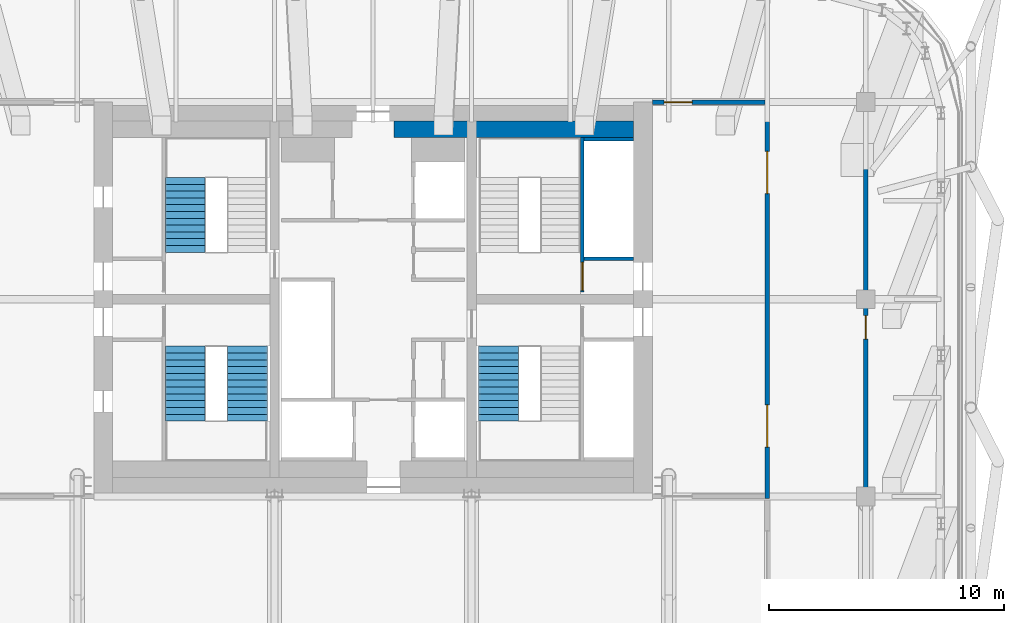
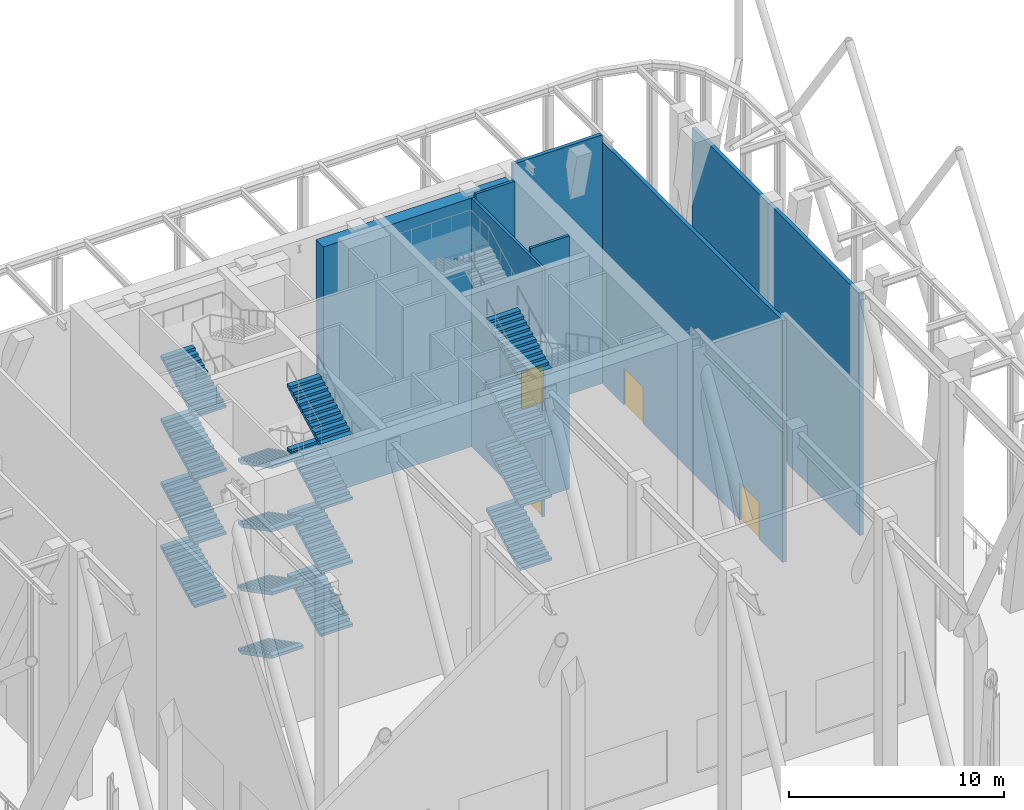
# One storey, part 12 of 20: 16 stair flights, 7 walls, 5 doors, 5 openings, 3 elements without a shape of their own.
"""IFC4 building model written with IfcOpenShell, lengths in metres."""

from ifc_helpers import new_model, si_unit, direction, frame, frame_2d, origin, place, context, subcontext, project, spatial, polyline, rectangle, outline, extrude, material, layer, layer_set, type_object, element, fill, aggregate, save


model = new_model("IFC4")

# Units and contexts
model_context = context("Model", 3, precision=1e-05, world=origin(), true_north=direction((0.0, 1.0)))
body_context = subcontext(model_context, "Body", "Model", "MODEL_VIEW")
ifc_project = project(units=[si_unit("LENGTHUNIT", "METRE"), si_unit("AREAUNIT", "SQUARE_METRE"), si_unit("VOLUMEUNIT", "CUBIC_METRE"), si_unit("PLANEANGLEUNIT", "RADIAN"), si_unit("MASSUNIT", "GRAM", prefix="KILO")], contexts=[model_context])

# Site, building, storey
site_placement = place(None, origin())
site = spatial("IfcSite", under=ifc_project, at=site_placement, CompositionType="ELEMENT")
building_placement = place(site_placement, origin())
building = spatial("IfcBuilding", under=site, at=building_placement, Name="Marenta Gate Hotel Tower", CompositionType="ELEMENT")
storey_placement = place(building_placement, frame((0.0, 0.0, 252.5)))
storey = spatial("IfcBuildingStorey", under=building, at=storey_placement, Name="L60", CompositionType="ELEMENT", Elevation=252.5)

# Wall, openings, doors
ifc_material_1 = material(Name="Concrete blockwork", Category="masonry")
ifc_layer_1 = layer(ifc_material_1, 0.199951171875)
ifc_layer_set_1 = layer_set([ifc_layer_1], Name="Concrete blockwork")
wall_type_1 = type_object("IfcWallType", Name="Core boundary wall 200 REI 180", PredefinedType="PARTITIONING", material=ifc_layer_set_1)
wall_1_placement = place(storey_placement, frame((16.800048828125, -0.10009765625, 0.0), z_axis=(0.0, 0.0, 1.0), x_axis=(0.0, 1.0, 0.0)))
wall_1 = element("IfcWall", 1, at=wall_1_placement, inside=storey, type_object=wall_type_1, Name="L60-CP-BW-E", PredefinedType="PARTITIONING", context=body_context, shape_type="SweptSolid", body=[
    extrude(rectangle(XDim=17.0, YDim=0.199951171875, at=frame_2d((8.5, 0.0))), origin(), (0.0, 0.0, 1.0), 13.739990234375),
])
opening_1_placement = place(wall_1_placement, frame((2.199951171875, 0.0, 0.0)))
opening_1 = element("IfcOpeningElement", 2, at=opening_1_placement, cuts=wall_1, Name="Opening ED-Ea-B", PredefinedType="OPENING", context=body_context, shape_type="SweptSolid", body=[
    extrude(rectangle(XDim=1.800048828125, YDim=2.10009765625, at=frame_2d((0.89990234375, 1.050048828125))), frame((0.0, 0.10009765625, 0.0), z_axis=(0.0, -1.0, 0.0), x_axis=(1.0, 0.0, 0.0)), (0.0, 0.0, 1.0), 0.199951171875),
])
opening_2_placement = place(wall_1_placement, frame((13.0, 0.0, 0.0)))
opening_2 = element("IfcOpeningElement", 3, at=opening_2_placement, cuts=wall_1, Name="Opening ED-Eb-B", PredefinedType="OPENING", context=body_context, shape_type="SweptSolid", body=[
    extrude(rectangle(XDim=1.800048828125, YDim=2.10009765625, at=frame_2d((0.89990234375, 1.050048828125))), frame((0.0, 0.10009765625, 0.0), z_axis=(0.0, -1.0, 0.0), x_axis=(1.0, 0.0, 0.0)), (0.0, 0.0, 1.0), 0.199951171875),
])
ifc_material_2 = material(Name="Steel", Category="steel")
door_type_1 = type_object("IfcDoorType", Name="Core lobby entrance door 1800x2100 EI 60", OperationType="DOUBLE_DOOR_SINGLE_SWING", PredefinedType="DOOR", material=ifc_material_2)
door_1_placement = place(opening_1_placement, origin())
door_1 = element("IfcDoor", 4, at=door_1_placement, inside=storey, type_object=door_type_1, Name="ED-Ea-B", OperationType="DOUBLE_DOOR_SINGLE_SWING", OverallHeight=2.10009765625, OverallWidth=1.800048828125, PredefinedType="DOOR", context=body_context, shape_type="SweptSolid", body=[
    extrude(rectangle(XDim=1.800048828125, YDim=2.10009765625, at=frame_2d((0.89990234375, 1.050048828125))), frame((0.0, 0.02490234375, 0.0), z_axis=(0.0, -1.0, 0.0), x_axis=(1.0, 0.0, 0.0)), (0.0, 0.0, 1.0), 0.050048828125),
])
fill(opening_1, door_1)
door_2_placement = place(opening_2_placement, origin())
door_2 = element("IfcDoor", 5, at=door_2_placement, inside=storey, type_object=door_type_1, Name="ED-Eb-B", OperationType="DOUBLE_DOOR_SINGLE_SWING", OverallHeight=2.10009765625, OverallWidth=1.800048828125, PredefinedType="DOOR", context=body_context, shape_type="SweptSolid", body=[
    extrude(rectangle(XDim=1.800048828125, YDim=2.10009765625, at=frame_2d((0.89990234375, 1.050048828125))), frame((0.0, 0.02490234375, 0.0), z_axis=(0.0, -1.0, 0.0), x_axis=(1.0, 0.0, 0.0)), (0.0, 0.0, 1.0), 0.050048828125),
])
fill(opening_2, door_2)

# Wall, opening, door
wall_2_placement = place(storey_placement, frame((11.89990234375, 16.800048828125, 0.0), z_axis=(0.0, 0.0, 1.0), x_axis=(1.0, 0.0, 0.0)))
wall_2 = element("IfcWall", 6, at=wall_2_placement, inside=storey, type_object=wall_type_1, Name="L60-CP-EW-EN", PredefinedType="PARTITIONING", context=body_context, shape_type="SweptSolid", body=[
    extrude(rectangle(XDim=4.800048828125, YDim=0.199951171875, at=frame_2d((2.39990234375, 0.0))), origin(), (0.0, 0.0, 1.0), 14.139892578125),
])
opening_3_placement = place(wall_2_placement, frame((0.5, 0.0, 0.0)))
opening_3 = element("IfcOpeningElement", 7, at=opening_3_placement, cuts=wall_2, Name="Opening RFD-EN", PredefinedType="OPENING", context=body_context, shape_type="SweptSolid", body=[
    extrude(rectangle(XDim=1.199951171875, YDim=2.10009765625, at=frame_2d((0.60009765625, 1.050048828125))), frame((0.0, 0.10009765625, 0.0), z_axis=(0.0, -1.0, 0.0), x_axis=(1.0, 0.0, 0.0)), (0.0, 0.0, 1.0), 0.199951171875),
])
ifc_material_3 = material(Name="Steel", Category="steel")
door_type_2 = type_object("IfcDoorType", Name="Core lobby door 1200x2100 FD60", OperationType="SINGLE_SWING_LEFT", PredefinedType="DOOR", material=ifc_material_3)
door_3_placement = place(opening_3_placement, origin())
door_3 = element("IfcDoor", 8, at=door_3_placement, inside=storey, type_object=door_type_2, Name="RFD-EN", OperationType="SINGLE_SWING_LEFT", OverallHeight=2.10009765625, OverallWidth=1.199951171875, PredefinedType="DOOR", context=body_context, shape_type="SweptSolid", body=[
    extrude(rectangle(XDim=1.199951171875, YDim=2.10009765625, at=frame_2d((0.60009765625, 1.050048828125))), frame((0.0, 0.02490234375, 0.0), z_axis=(0.0, -1.0, 0.0), x_axis=(1.0, 0.0, 0.0)), (0.0, 0.0, 1.0), 0.050048828125),
])
fill(opening_3, door_3)

# Walls
ifc_material_4 = material(Name="Concrete C40", Category="concrete")
ifc_layer_2 = layer(ifc_material_4, 0.699951171875)
ifc_layer_set_2 = layer_set([ifc_layer_2], Name="Concrete C40")
wall_type_2 = type_object("IfcWallType", Name="Core lining wall 700 REI 180", PredefinedType="PARTITIONING", material=ifc_layer_set_2)
wall_3_placement = place(storey_placement, frame((0.89990234375, 15.64990234375, 0.0), z_axis=(0.0, 0.0, 1.0), x_axis=(1.0, 0.0, 0.0)))
element("IfcWall", 9, at=wall_3_placement, inside=storey, type_object=wall_type_2, Name="L60-CP-LN-N2", PredefinedType="PARTITIONING", context=body_context, shape_type="SweptSolid", body=[
    extrude(rectangle(XDim=10.2001953125, YDim=0.699951171875, at=frame_2d((5.10009765625, 0.0))), origin(), (0.0, 0.0, 1.0), 14.139892578125),
])
ifc_material_5 = material(Name="Concrete C40", Category="concrete")
ifc_layer_3 = layer(ifc_material_5, 0.14990234375)
ifc_layer_set_3 = layer_set([ifc_layer_3], Name="Concrete C40")
wall_type_3 = type_object("IfcWallType", Name="Core shaft wall 150 REI 180", PredefinedType="SHEAR", material=ifc_layer_set_3)
for number, where, z_axis, x_axis, name in (
    (10, (9.0, 10.125, 0.0), (0.0, 0.0, 1.0), (1.0, 0.0, 0.0), "L60-SHF-SW-EN-2"),
    (11, (9.0, 15.22509765625, 0.0), (0.0, 0.0, 1.0), (1.0, 0.0, 0.0), "L60-SHF-SW-EN-5"),
):
    element("IfcWall", number, at=place(storey_placement, frame(where, z_axis=z_axis, x_axis=x_axis)), inside=storey, type_object=wall_type_3, Name=name, PredefinedType="SHEAR", context=body_context, shape_type="SweptSolid", body=[
        extrude(rectangle(XDim=2.10009765625, YDim=0.14990234375, at=frame_2d((1.050048828125, 0.0))), origin(), (0.0, 0.0, 1.0), 14.39990234375),
    ])

# Wall, opening, door
ifc_material_6 = material(Name="Concrete C40", Category="concrete")
ifc_layer_4 = layer(ifc_material_6, 0.14990234375)
ifc_layer_set_4 = layer_set([ifc_layer_4], Name="Concrete C40")
wall_type_4 = type_object("IfcWallType", Name="Core stair enclosure wall 150 REI 180", PredefinedType="SHEAR", material=ifc_layer_set_4)
wall_4_placement = place(storey_placement, frame((8.925048828125, 8.699951171875, 0.0), z_axis=(0.0, 0.0, 1.0), x_axis=(0.0, 1.0, 0.0)))
wall_4 = element("IfcWall", 12, at=wall_4_placement, inside=storey, type_object=wall_type_4, Name="L60-SHF-SW-EN-3", PredefinedType="SHEAR", context=body_context, shape_type="SweptSolid", body=[
    extrude(rectangle(XDim=6.60009765625, YDim=0.14990234375, at=frame_2d((3.300048828125, 0.0))), origin(), (0.0, 0.0, 1.0), 14.139892578125),
])
opening_4_placement = place(wall_4_placement, frame((0.074951171875, 0.0, 0.0)))
opening_4 = element("IfcOpeningElement", 13, at=opening_4_placement, cuts=wall_4, Name="Opening SD-EN", PredefinedType="OPENING", context=body_context, shape_type="SweptSolid", body=[
    extrude(rectangle(XDim=1.199951171875, YDim=2.10009765625, at=frame_2d((0.60009765625, 1.050048828125))), frame((0.0, 0.074951171875, 0.0), z_axis=(0.0, -1.0, 0.0), x_axis=(1.0, 0.0, 0.0)), (0.0, 0.0, 1.0), 0.14990234375),
])
ifc_material_7 = material(Name="Steel", Category="steel")
door_type_3 = type_object("IfcDoorType", Name="Core stair door 1200x2100 FD60", OperationType="SINGLE_SWING_LEFT", PredefinedType="DOOR", material=ifc_material_7)
door_4_placement = place(opening_4_placement, origin())
door_4 = element("IfcDoor", 14, at=door_4_placement, inside=storey, type_object=door_type_3, Name="SD-EN", OperationType="SINGLE_SWING_LEFT", OverallHeight=2.10009765625, OverallWidth=1.199951171875, PredefinedType="DOOR", context=body_context, shape_type="SweptSolid", body=[
    extrude(rectangle(XDim=1.199951171875, YDim=2.10009765625, at=frame_2d((0.60009765625, 1.050048828125))), frame((0.0, 0.02490234375, 0.0), z_axis=(0.0, -1.0, 0.0), x_axis=(1.0, 0.0, 0.0)), (0.0, 0.0, 1.0), 0.050048828125),
])
fill(opening_4, door_4)

ifc_material_8 = material(Name="Gypsum board on steel stud", Category="steel")
ifc_layer_5 = layer(ifc_material_8, 0.199951171875)
ifc_layer_set_5 = layer_set([ifc_layer_5], Name="Gypsum board on steel stud")
wall_type_5 = type_object("IfcWallType", Name="Room corridor wall 200 EI 60", PredefinedType="PARTITIONING", material=ifc_layer_set_5)
wall_5_placement = place(storey_placement, frame((21.0, 0.0, 0.0), z_axis=(0.0, 0.0, 1.0), x_axis=(0.0, 1.0, 0.0)))
wall_5 = element("IfcWall", 15, at=wall_5_placement, inside=storey, type_object=wall_type_5, Name="L60-PTN-W001", PredefinedType="PARTITIONING", context=body_context, shape_type="SweptSolid", body=[
    extrude(rectangle(XDim=15.60595703125, YDim=0.199951171875, at=frame_2d((7.802978515625, 0.0))), origin(), (0.0, 0.0, 1.0), 13.739990234375),
])
opening_5_placement = place(wall_5_placement, frame((6.702880859375, 0.0, 0.0)))
opening_5 = element("IfcOpeningElement", 16, at=opening_5_placement, cuts=wall_5, Name="Opening S11-02", PredefinedType="OPENING", context=body_context, shape_type="SweptSolid", body=[
    extrude(rectangle(XDim=1.0, YDim=2.10009765625, at=frame_2d((0.5, 1.050048828125))), frame((0.0, 0.10009765625, 0.0), z_axis=(0.0, -1.0, 0.0), x_axis=(1.0, 0.0, 0.0)), (0.0, 0.0, 1.0), 0.199951171875),
])
ifc_material_9 = material(Name="Hollow steel door set", Category="steel")
door_type_4 = type_object("IfcDoorType", Name="Plant room door 1000x2100 EI 30", OperationType="NOTDEFINED", PredefinedType="DOOR", material=ifc_material_9)
door_5_placement = place(opening_5_placement, origin())
door_5 = element("IfcDoor", 17, at=door_5_placement, inside=storey, type_object=door_type_4, Name="L60-PD-D002", OperationType="SINGLE_SWING_RIGHT", OverallHeight=2.10009765625, OverallWidth=1.0, PredefinedType="DOOR", context=body_context, shape_type="SweptSolid", body=[
    extrude(rectangle(XDim=1.0, YDim=2.10009765625, at=frame_2d((0.5, 1.050048828125))), frame((0.0, 0.02490234375, 0.0), z_axis=(0.0, -1.0, 0.0), x_axis=(1.0, 0.0, 0.0)), (0.0, 0.0, 1.0), 0.050048828125),
])
fill(opening_5, door_5)

# Stair, stair flights
ifc_material_10 = material(Name="Concrete C40", Category="concrete")
stair_type = type_object("IfcStairType", Name="Core exit stair 1700 wide", PredefinedType="HALF_TURN_STAIR", material=ifc_material_10)
stair_1_placement = place(storey_placement, origin())
stair_1 = element("IfcStair", 18, at=stair_1_placement, inside=storey, type_object=stair_type, Name="Exit stair 1", PredefinedType="HALF_TURN_STAIR")
ifc_material_11 = material(Name="Concrete C40", Category="concrete")
stair_flight_type = type_object("IfcStairFlightType", Name="Core stair flight 1700 riser 150.0 going 290", PredefinedType="STRAIGHT", material=ifc_material_11)
stair_flight_1_placement = place(storey_placement, frame((-8.0, 6.39990234375, 0.0), z_axis=(0.0, 0.0, 1.0), x_axis=(0.0, -1.0, 0.0)))
stair_flight_1 = element("IfcStairFlight", 19, at=stair_flight_1_placement, type_object=stair_flight_type, Name="ST1 flight 1", NumberOfRisers=12, NumberOfTreads=11, PredefinedType="STRAIGHT", RiserHeight=0.15, TreadLength=0.29, context=body_context, shape_type="SweptSolid", body=[
    extrude(outline(polyline([(0.0, 0.0), (0.0, 0.14990234375), (0.2900390625, 0.14990234375), (0.2900390625, 0.300048828125), (0.580078125, 0.300048828125), (0.580078125, 0.449951171875), (0.8701171875, 0.449951171875), (0.8701171875, 0.60009765625), (1.159912109375, 0.60009765625), (1.159912109375, 0.75), (1.449951171875, 0.75), (1.449951171875, 0.89990234375), (1.739990234375, 0.89990234375), (1.739990234375, 1.050048828125), (2.030029296875, 1.050048828125), (2.030029296875, 1.199951171875), (2.320068359375, 1.199951171875), (2.320068359375, 1.35009765625), (2.610107421875, 1.35009765625), (2.610107421875, 1.5), (2.89990234375, 1.5), (2.89990234375, 1.64990234375), (3.18994140625, 1.64990234375), (3.18994140625, 1.800048828125), (3.18994140625, 1.481201171875), (0.326171875, 0.0), (0.0, 0.0)])), frame((0.0, 0.85009765625, 0.0), z_axis=(0.0, -1.0, 0.0), x_axis=(1.0, 0.0, 0.0)), (0.0, 0.0, 1.0), 1.699951171875),
])
stair_flight_2_placement = place(storey_placement, frame((-5.35009765625, 3.2099609375, 1.800048828125), z_axis=(0.0, 0.0, 1.0), x_axis=(0.0, 1.0, 0.0)))
stair_flight_2 = element("IfcStairFlight", 20, at=stair_flight_2_placement, type_object=stair_flight_type, Name="ST1 flight 2", NumberOfRisers=12, NumberOfTreads=11, PredefinedType="STRAIGHT", RiserHeight=0.15, TreadLength=0.29, context=body_context, shape_type="SweptSolid", body=[
    extrude(outline(polyline([(0.0, 0.0), (0.0, 0.14990234375), (0.2900390625, 0.14990234375), (0.2900390625, 0.300048828125), (0.580078125, 0.300048828125), (0.580078125, 0.449951171875), (0.8701171875, 0.449951171875), (0.8701171875, 0.60009765625), (1.159912109375, 0.60009765625), (1.159912109375, 0.75), (1.449951171875, 0.75), (1.449951171875, 0.89990234375), (1.739990234375, 0.89990234375), (1.739990234375, 1.050048828125), (2.030029296875, 1.050048828125), (2.030029296875, 1.199951171875), (2.320068359375, 1.199951171875), (2.320068359375, 1.35009765625), (2.610107421875, 1.35009765625), (2.610107421875, 1.5), (2.89990234375, 1.5), (2.89990234375, 1.64990234375), (3.18994140625, 1.64990234375), (3.18994140625, 1.800048828125), (3.18994140625, 1.481201171875), (0.326171875, 0.0), (0.0, 0.0)])), frame((0.0, 0.85009765625, 0.0), z_axis=(0.0, -1.0, 0.0), x_axis=(1.0, 0.0, 0.0)), (0.0, 0.0, 1.0), 1.699951171875),
])
stair_flight_3_placement = place(storey_placement, frame((-8.0, 6.39990234375, 3.60009765625), z_axis=(0.0, 0.0, 1.0), x_axis=(0.0, -1.0, 0.0)))
stair_flight_3 = element("IfcStairFlight", 21, at=stair_flight_3_placement, type_object=stair_flight_type, Name="ST1 flight 3", NumberOfRisers=12, NumberOfTreads=11, PredefinedType="STRAIGHT", RiserHeight=0.15, TreadLength=0.29, context=body_context, shape_type="SweptSolid", body=[
    extrude(outline(polyline([(0.0, 0.0), (0.0, 0.14990234375), (0.2900390625, 0.14990234375), (0.2900390625, 0.300048828125), (0.580078125, 0.300048828125), (0.580078125, 0.449951171875), (0.8701171875, 0.449951171875), (0.8701171875, 0.60009765625), (1.159912109375, 0.60009765625), (1.159912109375, 0.75), (1.449951171875, 0.75), (1.449951171875, 0.89990234375), (1.739990234375, 0.89990234375), (1.739990234375, 1.050048828125), (2.030029296875, 1.050048828125), (2.030029296875, 1.199951171875), (2.320068359375, 1.199951171875), (2.320068359375, 1.35009765625), (2.610107421875, 1.35009765625), (2.610107421875, 1.5), (2.89990234375, 1.5), (2.89990234375, 1.64990234375), (3.18994140625, 1.64990234375), (3.18994140625, 1.800048828125), (3.18994140625, 1.481201171875), (0.326171875, 0.0), (0.0, 0.0)])), frame((0.0, 0.85009765625, 0.0), z_axis=(0.0, -1.0, 0.0), x_axis=(1.0, 0.0, 0.0)), (0.0, 0.0, 1.0), 1.699951171875),
])
stair_flight_4_placement = place(storey_placement, frame((-5.35009765625, 3.2099609375, 5.39990234375), z_axis=(0.0, 0.0, 1.0), x_axis=(0.0, 1.0, 0.0)))
stair_flight_4 = element("IfcStairFlight", 22, at=stair_flight_4_placement, type_object=stair_flight_type, Name="ST1 flight 4", NumberOfRisers=12, NumberOfTreads=11, PredefinedType="STRAIGHT", RiserHeight=0.15, TreadLength=0.29, context=body_context, shape_type="SweptSolid", body=[
    extrude(outline(polyline([(0.0, 0.0), (0.0, 0.14990234375), (0.2900390625, 0.14990234375), (0.2900390625, 0.300048828125), (0.580078125, 0.300048828125), (0.580078125, 0.449951171875), (0.8701171875, 0.449951171875), (0.8701171875, 0.60009765625), (1.159912109375, 0.60009765625), (1.159912109375, 0.75), (1.449951171875, 0.75), (1.449951171875, 0.89990234375), (1.739990234375, 0.89990234375), (1.739990234375, 1.050048828125), (2.030029296875, 1.050048828125), (2.030029296875, 1.199951171875), (2.320068359375, 1.199951171875), (2.320068359375, 1.35009765625), (2.610107421875, 1.35009765625), (2.610107421875, 1.5), (2.89990234375, 1.5), (2.89990234375, 1.64990234375), (3.18994140625, 1.64990234375), (3.18994140625, 1.800048828125), (3.18994140625, 1.481201171875), (0.326171875, 0.0), (0.0, 0.0)])), frame((0.0, 0.85009765625, 0.0), z_axis=(0.0, -1.0, 0.0), x_axis=(1.0, 0.0, 0.0)), (0.0, 0.0, 1.0), 1.699951171875),
])
stair_flight_5_placement = place(storey_placement, frame((-8.0, 6.39990234375, 7.199951171875), z_axis=(0.0, 0.0, 1.0), x_axis=(0.0, -1.0, 0.0)))
stair_flight_5 = element("IfcStairFlight", 23, at=stair_flight_5_placement, type_object=stair_flight_type, Name="ST1 flight 5", NumberOfRisers=12, NumberOfTreads=11, PredefinedType="STRAIGHT", RiserHeight=0.15, TreadLength=0.29, context=body_context, shape_type="SweptSolid", body=[
    extrude(outline(polyline([(0.0, 0.0), (0.0, 0.14990234375), (0.2900390625, 0.14990234375), (0.2900390625, 0.300048828125), (0.580078125, 0.300048828125), (0.580078125, 0.449951171875), (0.8701171875, 0.449951171875), (0.8701171875, 0.60009765625), (1.159912109375, 0.60009765625), (1.159912109375, 0.75), (1.449951171875, 0.75), (1.449951171875, 0.89990234375), (1.739990234375, 0.89990234375), (1.739990234375, 1.050048828125), (2.030029296875, 1.050048828125), (2.030029296875, 1.199951171875), (2.320068359375, 1.199951171875), (2.320068359375, 1.35009765625), (2.610107421875, 1.35009765625), (2.610107421875, 1.5), (2.89990234375, 1.5), (2.89990234375, 1.64990234375), (3.18994140625, 1.64990234375), (3.18994140625, 1.800048828125), (3.18994140625, 1.481201171875), (0.326171875, 0.0), (0.0, 0.0)])), frame((0.0, 0.85009765625, 0.0), z_axis=(0.0, -1.0, 0.0), x_axis=(1.0, 0.0, 0.0)), (0.0, 0.0, 1.0), 1.699951171875),
])
stair_flight_6_placement = place(storey_placement, frame((-5.35009765625, 3.2099609375, 9.0), z_axis=(0.0, 0.0, 1.0), x_axis=(0.0, 1.0, 0.0)))
stair_flight_6 = element("IfcStairFlight", 24, at=stair_flight_6_placement, type_object=stair_flight_type, Name="ST1 flight 6", NumberOfRisers=12, NumberOfTreads=11, PredefinedType="STRAIGHT", RiserHeight=0.15, TreadLength=0.29, context=body_context, shape_type="SweptSolid", body=[
    extrude(outline(polyline([(0.0, 0.0), (0.0, 0.14990234375), (0.2900390625, 0.14990234375), (0.2900390625, 0.300048828125), (0.580078125, 0.300048828125), (0.580078125, 0.449951171875), (0.8701171875, 0.449951171875), (0.8701171875, 0.60009765625), (1.159912109375, 0.60009765625), (1.159912109375, 0.75), (1.449951171875, 0.75), (1.449951171875, 0.89990234375), (1.739990234375, 0.89990234375), (1.739990234375, 1.050048828125), (2.030029296875, 1.050048828125), (2.030029296875, 1.199951171875), (2.320068359375, 1.199951171875), (2.320068359375, 1.35009765625), (2.610107421875, 1.35009765625), (2.610107421875, 1.5), (2.89990234375, 1.5), (2.89990234375, 1.64990234375), (3.18994140625, 1.64990234375), (3.18994140625, 1.800048828125), (3.18994140625, 1.481201171875), (0.326171875, 0.0), (0.0, 0.0)])), frame((0.0, 0.85009765625, 0.0), z_axis=(0.0, -1.0, 0.0), x_axis=(1.0, 0.0, 0.0)), (0.0, 0.0, 1.0), 1.699951171875),
])
stair_flight_7_placement = place(storey_placement, frame((-8.0, 6.39990234375, 10.800048828125), z_axis=(0.0, 0.0, 1.0), x_axis=(0.0, -1.0, 0.0)))
stair_flight_7 = element("IfcStairFlight", 25, at=stair_flight_7_placement, type_object=stair_flight_type, Name="ST1 flight 7", NumberOfRisers=12, NumberOfTreads=11, PredefinedType="STRAIGHT", RiserHeight=0.15, TreadLength=0.29, context=body_context, shape_type="SweptSolid", body=[
    extrude(outline(polyline([(0.0, 0.0), (0.0, 0.14990234375), (0.2900390625, 0.14990234375), (0.2900390625, 0.300048828125), (0.580078125, 0.300048828125), (0.580078125, 0.449951171875), (0.8701171875, 0.449951171875), (0.8701171875, 0.60009765625), (1.159912109375, 0.60009765625), (1.159912109375, 0.75), (1.449951171875, 0.75), (1.449951171875, 0.89990234375), (1.739990234375, 0.89990234375), (1.739990234375, 1.050048828125), (2.030029296875, 1.050048828125), (2.030029296875, 1.199951171875), (2.320068359375, 1.199951171875), (2.320068359375, 1.35009765625), (2.610107421875, 1.35009765625), (2.610107421875, 1.5), (2.89990234375, 1.5), (2.89990234375, 1.64990234375), (3.18994140625, 1.64990234375), (3.18994140625, 1.800048828125), (3.18994140625, 1.481201171875), (0.326171875, 0.0), (0.0, 0.0)])), frame((0.0, 0.85009765625, 0.0), z_axis=(0.0, -1.0, 0.0), x_axis=(1.0, 0.0, 0.0)), (0.0, 0.0, 1.0), 1.699951171875),
])
stair_flight_8_placement = place(storey_placement, frame((-5.35009765625, 3.2099609375, 12.60009765625), z_axis=(0.0, 0.0, 1.0), x_axis=(0.0, 1.0, 0.0)))
stair_flight_8 = element("IfcStairFlight", 26, at=stair_flight_8_placement, type_object=stair_flight_type, Name="ST1 flight 8", NumberOfRisers=12, NumberOfTreads=11, PredefinedType="STRAIGHT", RiserHeight=0.15, TreadLength=0.29, context=body_context, shape_type="SweptSolid", body=[
    extrude(outline(polyline([(0.0, 0.0), (0.0, 0.14990234375), (0.2900390625, 0.14990234375), (0.2900390625, 0.300048828125), (0.580078125, 0.300048828125), (0.580078125, 0.449951171875), (0.8701171875, 0.449951171875), (0.8701171875, 0.60009765625), (1.159912109375, 0.60009765625), (1.159912109375, 0.75), (1.449951171875, 0.75), (1.449951171875, 0.89990234375), (1.739990234375, 0.89990234375), (1.739990234375, 1.050048828125), (2.030029296875, 1.050048828125), (2.030029296875, 1.199951171875), (2.320068359375, 1.199951171875), (2.320068359375, 1.35009765625), (2.610107421875, 1.35009765625), (2.610107421875, 1.5), (2.89990234375, 1.5), (2.89990234375, 1.64990234375), (3.18994140625, 1.64990234375), (3.18994140625, 1.800048828125), (3.18994140625, 1.481201171875), (0.326171875, 0.0), (0.0, 0.0)])), frame((0.0, 0.85009765625, 0.0), z_axis=(0.0, -1.0, 0.0), x_axis=(1.0, 0.0, 0.0)), (0.0, 0.0, 1.0), 1.699951171875),
])
aggregate(stair_1, [stair_flight_1, stair_flight_2, stair_flight_3, stair_flight_4, stair_flight_5, stair_flight_6, stair_flight_7, stair_flight_8])

stair_2_placement = place(storey_placement, origin())
stair_2 = element("IfcStair", 27, at=stair_2_placement, inside=storey, type_object=stair_type, Name="Exit stair 2", PredefinedType="HALF_TURN_STAIR")
stair_flight_9_placement = place(storey_placement, frame((-8.0, 10.39990234375, 0.0), z_axis=(0.0, 0.0, 1.0), x_axis=(0.0, 1.0, 0.0)))
stair_flight_9 = element("IfcStairFlight", 28, at=stair_flight_9_placement, type_object=stair_flight_type, Name="ST2 flight 1", NumberOfRisers=12, NumberOfTreads=11, PredefinedType="STRAIGHT", RiserHeight=0.15, TreadLength=0.29, context=body_context, shape_type="SweptSolid", body=[
    extrude(outline(polyline([(0.0, 0.0), (0.0, 0.14990234375), (0.2900390625, 0.14990234375), (0.2900390625, 0.300048828125), (0.580078125, 0.300048828125), (0.580078125, 0.449951171875), (0.8701171875, 0.449951171875), (0.8701171875, 0.60009765625), (1.159912109375, 0.60009765625), (1.159912109375, 0.75), (1.449951171875, 0.75), (1.449951171875, 0.89990234375), (1.739990234375, 0.89990234375), (1.739990234375, 1.050048828125), (2.030029296875, 1.050048828125), (2.030029296875, 1.199951171875), (2.320068359375, 1.199951171875), (2.320068359375, 1.35009765625), (2.610107421875, 1.35009765625), (2.610107421875, 1.5), (2.89990234375, 1.5), (2.89990234375, 1.64990234375), (3.18994140625, 1.64990234375), (3.18994140625, 1.800048828125), (3.18994140625, 1.481201171875), (0.326171875, 0.0), (0.0, 0.0)])), frame((0.0, 0.85009765625, 0.0), z_axis=(0.0, -1.0, 0.0), x_axis=(1.0, 0.0, 0.0)), (0.0, 0.0, 1.0), 1.699951171875),
])
stair_flight_10_placement = place(storey_placement, frame((-8.0, 10.39990234375, 3.60009765625), z_axis=(0.0, 0.0, 1.0), x_axis=(0.0, 1.0, 0.0)))
stair_flight_10 = element("IfcStairFlight", 29, at=stair_flight_10_placement, type_object=stair_flight_type, Name="ST2 flight 3", NumberOfRisers=12, NumberOfTreads=11, PredefinedType="STRAIGHT", RiserHeight=0.15, TreadLength=0.29, context=body_context, shape_type="SweptSolid", body=[
    extrude(outline(polyline([(0.0, 0.0), (0.0, 0.14990234375), (0.2900390625, 0.14990234375), (0.2900390625, 0.300048828125), (0.580078125, 0.300048828125), (0.580078125, 0.449951171875), (0.8701171875, 0.449951171875), (0.8701171875, 0.60009765625), (1.159912109375, 0.60009765625), (1.159912109375, 0.75), (1.449951171875, 0.75), (1.449951171875, 0.89990234375), (1.739990234375, 0.89990234375), (1.739990234375, 1.050048828125), (2.030029296875, 1.050048828125), (2.030029296875, 1.199951171875), (2.320068359375, 1.199951171875), (2.320068359375, 1.35009765625), (2.610107421875, 1.35009765625), (2.610107421875, 1.5), (2.89990234375, 1.5), (2.89990234375, 1.64990234375), (3.18994140625, 1.64990234375), (3.18994140625, 1.800048828125), (3.18994140625, 1.481201171875), (0.326171875, 0.0), (0.0, 0.0)])), frame((0.0, 0.85009765625, 0.0), z_axis=(0.0, -1.0, 0.0), x_axis=(1.0, 0.0, 0.0)), (0.0, 0.0, 1.0), 1.699951171875),
])
stair_flight_11_placement = place(storey_placement, frame((-8.0, 10.39990234375, 7.199951171875), z_axis=(0.0, 0.0, 1.0), x_axis=(0.0, 1.0, 0.0)))
stair_flight_11 = element("IfcStairFlight", 30, at=stair_flight_11_placement, type_object=stair_flight_type, Name="ST2 flight 5", NumberOfRisers=12, NumberOfTreads=11, PredefinedType="STRAIGHT", RiserHeight=0.15, TreadLength=0.29, context=body_context, shape_type="SweptSolid", body=[
    extrude(outline(polyline([(0.0, 0.0), (0.0, 0.14990234375), (0.2900390625, 0.14990234375), (0.2900390625, 0.300048828125), (0.580078125, 0.300048828125), (0.580078125, 0.449951171875), (0.8701171875, 0.449951171875), (0.8701171875, 0.60009765625), (1.159912109375, 0.60009765625), (1.159912109375, 0.75), (1.449951171875, 0.75), (1.449951171875, 0.89990234375), (1.739990234375, 0.89990234375), (1.739990234375, 1.050048828125), (2.030029296875, 1.050048828125), (2.030029296875, 1.199951171875), (2.320068359375, 1.199951171875), (2.320068359375, 1.35009765625), (2.610107421875, 1.35009765625), (2.610107421875, 1.5), (2.89990234375, 1.5), (2.89990234375, 1.64990234375), (3.18994140625, 1.64990234375), (3.18994140625, 1.800048828125), (3.18994140625, 1.481201171875), (0.326171875, 0.0), (0.0, 0.0)])), frame((0.0, 0.85009765625, 0.0), z_axis=(0.0, -1.0, 0.0), x_axis=(1.0, 0.0, 0.0)), (0.0, 0.0, 1.0), 1.699951171875),
])
stair_flight_12_placement = place(storey_placement, frame((-8.0, 10.39990234375, 10.800048828125), z_axis=(0.0, 0.0, 1.0), x_axis=(0.0, 1.0, 0.0)))
stair_flight_12 = element("IfcStairFlight", 31, at=stair_flight_12_placement, type_object=stair_flight_type, Name="ST2 flight 7", NumberOfRisers=12, NumberOfTreads=11, PredefinedType="STRAIGHT", RiserHeight=0.15, TreadLength=0.29, context=body_context, shape_type="SweptSolid", body=[
    extrude(outline(polyline([(0.0, 0.0), (0.0, 0.14990234375), (0.2900390625, 0.14990234375), (0.2900390625, 0.300048828125), (0.580078125, 0.300048828125), (0.580078125, 0.449951171875), (0.8701171875, 0.449951171875), (0.8701171875, 0.60009765625), (1.159912109375, 0.60009765625), (1.159912109375, 0.75), (1.449951171875, 0.75), (1.449951171875, 0.89990234375), (1.739990234375, 0.89990234375), (1.739990234375, 1.050048828125), (2.030029296875, 1.050048828125), (2.030029296875, 1.199951171875), (2.320068359375, 1.199951171875), (2.320068359375, 1.35009765625), (2.610107421875, 1.35009765625), (2.610107421875, 1.5), (2.89990234375, 1.5), (2.89990234375, 1.64990234375), (3.18994140625, 1.64990234375), (3.18994140625, 1.800048828125), (3.18994140625, 1.481201171875), (0.326171875, 0.0), (0.0, 0.0)])), frame((0.0, 0.85009765625, 0.0), z_axis=(0.0, -1.0, 0.0), x_axis=(1.0, 0.0, 0.0)), (0.0, 0.0, 1.0), 1.699951171875),
])
aggregate(stair_2, [stair_flight_9, stair_flight_10, stair_flight_11, stair_flight_12])

stair_3_placement = place(storey_placement, origin())
stair_3 = element("IfcStair", 32, at=stair_3_placement, inside=storey, type_object=stair_type, Name="Exit stair 3", PredefinedType="HALF_TURN_STAIR")
stair_flight_13_placement = place(storey_placement, frame((5.35009765625, 3.2099609375, 1.800048828125), z_axis=(0.0, 0.0, 1.0), x_axis=(0.0, 1.0, 0.0)))
stair_flight_13 = element("IfcStairFlight", 33, at=stair_flight_13_placement, type_object=stair_flight_type, Name="ST3 flight 2", NumberOfRisers=12, NumberOfTreads=11, PredefinedType="STRAIGHT", RiserHeight=0.15, TreadLength=0.29, context=body_context, shape_type="SweptSolid", body=[
    extrude(outline(polyline([(0.0, 0.0), (0.0, 0.14990234375), (0.2900390625, 0.14990234375), (0.2900390625, 0.300048828125), (0.580078125, 0.300048828125), (0.580078125, 0.449951171875), (0.8701171875, 0.449951171875), (0.8701171875, 0.60009765625), (1.159912109375, 0.60009765625), (1.159912109375, 0.75), (1.449951171875, 0.75), (1.449951171875, 0.89990234375), (1.739990234375, 0.89990234375), (1.739990234375, 1.050048828125), (2.030029296875, 1.050048828125), (2.030029296875, 1.199951171875), (2.320068359375, 1.199951171875), (2.320068359375, 1.35009765625), (2.610107421875, 1.35009765625), (2.610107421875, 1.5), (2.89990234375, 1.5), (2.89990234375, 1.64990234375), (3.18994140625, 1.64990234375), (3.18994140625, 1.800048828125), (3.18994140625, 1.481201171875), (0.326171875, 0.0), (0.0, 0.0)])), frame((0.0, 0.85009765625, 0.0), z_axis=(0.0, -1.0, 0.0), x_axis=(1.0, 0.0, 0.0)), (0.0, 0.0, 1.0), 1.699951171875),
])
stair_flight_14_placement = place(storey_placement, frame((5.35009765625, 3.2099609375, 5.39990234375), z_axis=(0.0, 0.0, 1.0), x_axis=(0.0, 1.0, 0.0)))
stair_flight_14 = element("IfcStairFlight", 34, at=stair_flight_14_placement, type_object=stair_flight_type, Name="ST3 flight 4", NumberOfRisers=12, NumberOfTreads=11, PredefinedType="STRAIGHT", RiserHeight=0.15, TreadLength=0.29, context=body_context, shape_type="SweptSolid", body=[
    extrude(outline(polyline([(0.0, 0.0), (0.0, 0.14990234375), (0.2900390625, 0.14990234375), (0.2900390625, 0.300048828125), (0.580078125, 0.300048828125), (0.580078125, 0.449951171875), (0.8701171875, 0.449951171875), (0.8701171875, 0.60009765625), (1.159912109375, 0.60009765625), (1.159912109375, 0.75), (1.449951171875, 0.75), (1.449951171875, 0.89990234375), (1.739990234375, 0.89990234375), (1.739990234375, 1.050048828125), (2.030029296875, 1.050048828125), (2.030029296875, 1.199951171875), (2.320068359375, 1.199951171875), (2.320068359375, 1.35009765625), (2.610107421875, 1.35009765625), (2.610107421875, 1.5), (2.89990234375, 1.5), (2.89990234375, 1.64990234375), (3.18994140625, 1.64990234375), (3.18994140625, 1.800048828125), (3.18994140625, 1.481201171875), (0.326171875, 0.0), (0.0, 0.0)])), frame((0.0, 0.85009765625, 0.0), z_axis=(0.0, -1.0, 0.0), x_axis=(1.0, 0.0, 0.0)), (0.0, 0.0, 1.0), 1.699951171875),
])
stair_flight_15_placement = place(storey_placement, frame((5.35009765625, 3.2099609375, 9.0), z_axis=(0.0, 0.0, 1.0), x_axis=(0.0, 1.0, 0.0)))
stair_flight_15 = element("IfcStairFlight", 35, at=stair_flight_15_placement, type_object=stair_flight_type, Name="ST3 flight 6", NumberOfRisers=12, NumberOfTreads=11, PredefinedType="STRAIGHT", RiserHeight=0.15, TreadLength=0.29, context=body_context, shape_type="SweptSolid", body=[
    extrude(outline(polyline([(0.0, 0.0), (0.0, 0.14990234375), (0.2900390625, 0.14990234375), (0.2900390625, 0.300048828125), (0.580078125, 0.300048828125), (0.580078125, 0.449951171875), (0.8701171875, 0.449951171875), (0.8701171875, 0.60009765625), (1.159912109375, 0.60009765625), (1.159912109375, 0.75), (1.449951171875, 0.75), (1.449951171875, 0.89990234375), (1.739990234375, 0.89990234375), (1.739990234375, 1.050048828125), (2.030029296875, 1.050048828125), (2.030029296875, 1.199951171875), (2.320068359375, 1.199951171875), (2.320068359375, 1.35009765625), (2.610107421875, 1.35009765625), (2.610107421875, 1.5), (2.89990234375, 1.5), (2.89990234375, 1.64990234375), (3.18994140625, 1.64990234375), (3.18994140625, 1.800048828125), (3.18994140625, 1.481201171875), (0.326171875, 0.0), (0.0, 0.0)])), frame((0.0, 0.85009765625, 0.0), z_axis=(0.0, -1.0, 0.0), x_axis=(1.0, 0.0, 0.0)), (0.0, 0.0, 1.0), 1.699951171875),
])
stair_flight_16_placement = place(storey_placement, frame((5.35009765625, 3.2099609375, 12.60009765625), z_axis=(0.0, 0.0, 1.0), x_axis=(0.0, 1.0, 0.0)))
stair_flight_16 = element("IfcStairFlight", 36, at=stair_flight_16_placement, type_object=stair_flight_type, Name="ST3 flight 8", NumberOfRisers=12, NumberOfTreads=11, PredefinedType="STRAIGHT", RiserHeight=0.15, TreadLength=0.29, context=body_context, shape_type="SweptSolid", body=[
    extrude(outline(polyline([(0.0, 0.0), (0.0, 0.14990234375), (0.2900390625, 0.14990234375), (0.2900390625, 0.300048828125), (0.580078125, 0.300048828125), (0.580078125, 0.449951171875), (0.8701171875, 0.449951171875), (0.8701171875, 0.60009765625), (1.159912109375, 0.60009765625), (1.159912109375, 0.75), (1.449951171875, 0.75), (1.449951171875, 0.89990234375), (1.739990234375, 0.89990234375), (1.739990234375, 1.050048828125), (2.030029296875, 1.050048828125), (2.030029296875, 1.199951171875), (2.320068359375, 1.199951171875), (2.320068359375, 1.35009765625), (2.610107421875, 1.35009765625), (2.610107421875, 1.5), (2.89990234375, 1.5), (2.89990234375, 1.64990234375), (3.18994140625, 1.64990234375), (3.18994140625, 1.800048828125), (3.18994140625, 1.481201171875), (0.326171875, 0.0), (0.0, 0.0)])), frame((0.0, 0.85009765625, 0.0), z_axis=(0.0, -1.0, 0.0), x_axis=(1.0, 0.0, 0.0)), (0.0, 0.0, 1.0), 1.699951171875),
])
aggregate(stair_3, [stair_flight_13, stair_flight_14, stair_flight_15, stair_flight_16])

save(model, "model.ifc")
